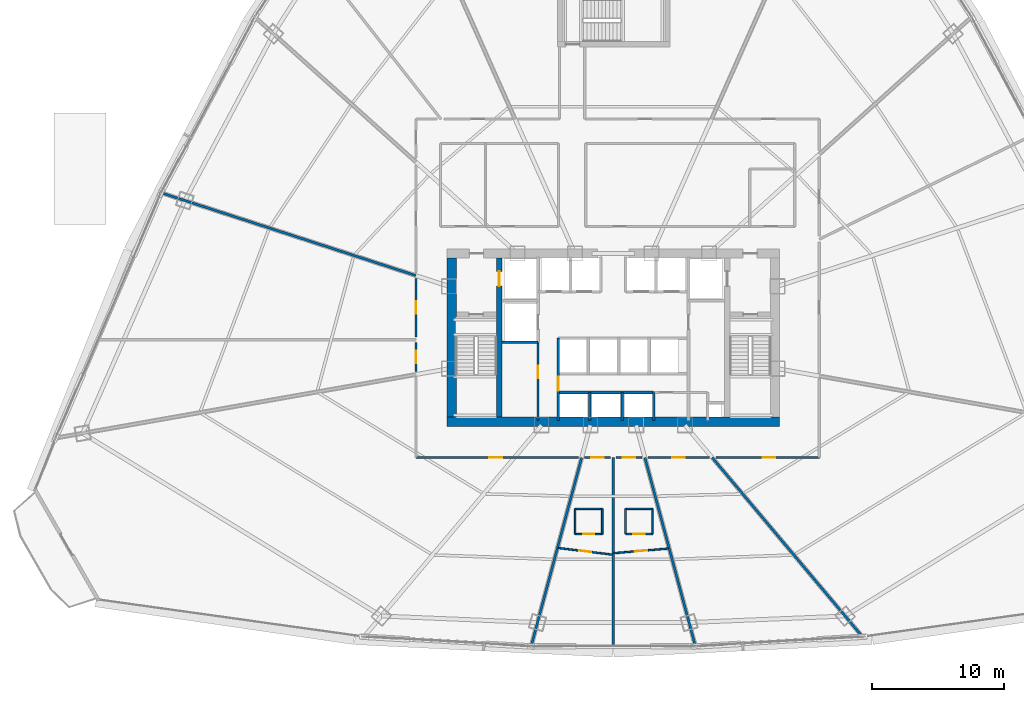
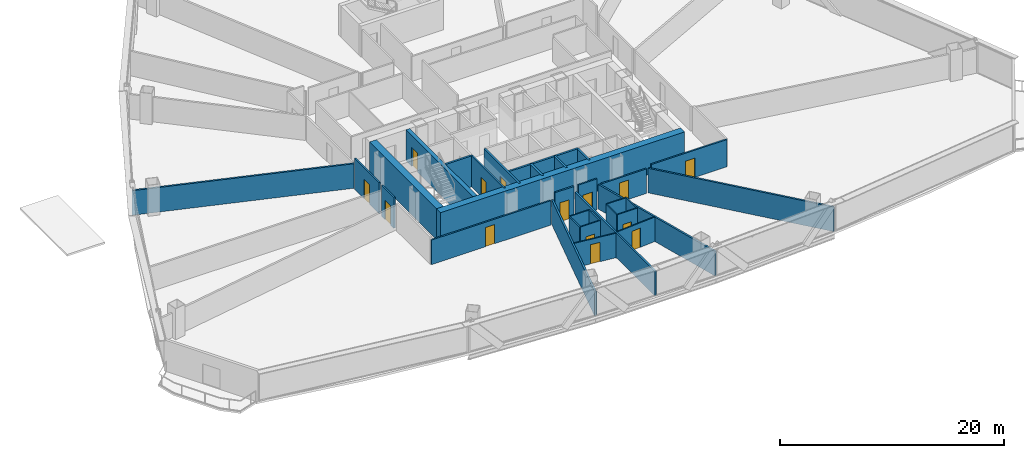
# One storey, part 30 of 38: 32 walls, 14 doors, 14 openings.
"""IFC4 building model written with IfcOpenShell, lengths in metres."""

from ifc_helpers import new_model, si_unit, direction, frame, frame_2d, origin, origin_with_axes, place, context, subcontext, project, spatial, rectangle, extrude, source, transform, mapped, material, layer, layer_set, type_object, element, fill, save


model = new_model("IFC4")

# Units and contexts
model_context = context("Model", 3, precision=1e-05, world=origin(), true_north=direction((0.0, 1.0)))
body_context = subcontext(model_context, "Body", "Model", "MODEL_VIEW")
ifc_project = project(units=[si_unit("LENGTHUNIT", "METRE"), si_unit("AREAUNIT", "SQUARE_METRE"), si_unit("VOLUMEUNIT", "CUBIC_METRE"), si_unit("PLANEANGLEUNIT", "RADIAN"), si_unit("MASSUNIT", "GRAM", prefix="KILO"), si_unit("THERMODYNAMICTEMPERATUREUNIT", "KELVIN"), si_unit("POWERUNIT", "WATT")], contexts=[model_context])

# Site, building, storey
site_placement = place(None, origin())
site = spatial("IfcSite", under=ifc_project, at=site_placement, CompositionType="ELEMENT")
building_placement = place(site_placement, origin())
building = spatial("IfcBuilding", under=site, at=building_placement, Name="Yunzhuo Pagoda Commons", CompositionType="ELEMENT")
storey_placement = place(building_placement, frame((0.0, 0.0, 30.39990234375)))
storey = spatial("IfcBuildingStorey", under=building, at=storey_placement, Name="L07", CompositionType="ELEMENT", Elevation=30.39990234375)

# Walls
ifc_material_1 = material(Name="Concrete C60", Category="concrete")
ifc_layer_1 = layer(ifc_material_1, 0.699951171875)
ifc_layer_set_1 = layer_set([ifc_layer_1], Name="Concrete C60")
wall_type_1 = type_object("IfcWallType", Name="W-C01 Lower Core Shear Wall 700", PredefinedType="SHEAR", material=ifc_layer_set_1)
wall_1_placement = place(storey_placement, frame((35.449951171875, 27.5, 0.0), z_axis=(0.0, 0.0, 1.0), x_axis=(1.0, 0.0, 0.0)))
element("IfcWall", 1, at=wall_1_placement, inside=storey, type_object=wall_type_1, Name="L07 core shear wall S", PredefinedType="SHEAR", context=body_context, shape_type="SweptSolid", body=[
    extrude(rectangle(XDim=25.10009765625, YDim=0.699951171875, at=frame_2d((12.550048828125, 0.0))), origin(), (0.0, 0.0, 1.0), 3.3701171875),
])
wall_2_placement = place(storey_placement, frame((35.800048828125, 27.85009765625, 0.0), z_axis=(0.0, 0.0, 1.0), x_axis=(0.0, 1.0, 0.0)))
element("IfcWall", 2, at=wall_2_placement, inside=storey, type_object=wall_type_1, Name="L07 core shear wall W", PredefinedType="SHEAR", context=body_context, shape_type="SweptSolid", body=[
    extrude(rectangle(XDim=12.0, YDim=0.699951171875, at=frame_2d((6.0, 0.0))), origin(), (0.0, 0.0, 1.0), 3.3701171875),
])

# Wall, opening, door
ifc_material_2 = material(Name="Gypsum plasterboard on acoustic stud")
ifc_layer_2 = layer(ifc_material_2, 0.159912109375)
ifc_layer_set_2 = layer_set([ifc_layer_2], Name="Gypsum plasterboard on acoustic stud")
wall_type_2 = type_object("IfcWallType", Name="W-COR1 Tower Rated Corridor Wall 160", PredefinedType="PARTITIONING", material=ifc_layer_set_2)
wall_3_placement = place(storey_placement, frame((42.320068359375, 27.60009765625, 0.0), z_axis=(0.0, 0.0, 1.0), x_axis=(0.0, 1.0, 0.0)))
wall_3 = element("IfcWall", 3, at=wall_3_placement, inside=storey, type_object=wall_type_2, Name="L07 interior wall IW-L07-CSWE", PredefinedType="PARTITIONING", context=body_context, shape_type="SweptSolid", body=[
    extrude(rectangle(XDim=5.89990234375, YDim=0.159912109375, at=frame_2d((2.949951171875, 0.0))), origin(), (0.0, 0.0, 1.0), 3.3701171875),
])
opening_1_placement = place(wall_3_placement, frame((3.199951171875, 0.0, 0.0)))
opening_1 = element("IfcOpeningElement", 4, at=opening_1_placement, cuts=wall_3, Name="Opening D-11", PredefinedType="OPENING", context=body_context, shape_type="SweptSolid", body=[
    extrude(rectangle(XDim=0.93994140625, YDim=2.10009765625, at=frame_2d((0.469970703125, 1.050048828125))), frame((0.0, 0.08984375, 0.0), z_axis=(0.0, -1.0, 0.0), x_axis=(1.0, 0.0, 0.0)), (0.0, 0.0, 1.0), 0.179931640625),
])
ifc_material_3 = material(Name="Galvanized fire-resisting metal leaf")
door_type_1 = type_object("IfcDoorType", Name="D-11 Accessible Washroom Fire Door 940x2100", OperationType="NOTDEFINED", PredefinedType="DOOR", material=ifc_material_3)
shared_shape_1 = source(origin(), body_context, "Body", "SweptSolid", [
    extrude(rectangle(XDim=0.93994140625, YDim=2.10009765625, at=frame_2d((0.469970703125, 1.050048828125))), frame((0.0, 0.02490234375, 0.0), z_axis=(0.0, -1.0, 0.0), x_axis=(1.0, 0.0, 0.0)), (0.0, 0.0, 1.0), 0.050048828125),
])
door_1_placement = place(opening_1_placement, origin_with_axes())
door_1 = element("IfcDoor", 5, at=door_1_placement, inside=storey, type_object=door_type_1, Name="L07 core WC door", OperationType="SINGLE_SWING_LEFT", OverallHeight=2.10009765625, OverallWidth=0.93994140625, PredefinedType="DOOR", context=body_context, shape_type="MappedRepresentation", body=[
    mapped(shared_shape_1, transform((0.0, 0.0, 0.0), scale=1.0)),
])
fill(opening_1, door_1)

wall_4_placement = place(storey_placement, frame((33.10009765625, 31.29248046875, 0.0), z_axis=(0.0, 0.0, 1.0), x_axis=(0.0, 1.0, 0.0)))
wall_4 = element("IfcWall", 6, at=wall_4_placement, inside=storey, type_object=wall_type_2, Name="L07 interior wall IW-L07-CWL02", PredefinedType="PARTITIONING", context=body_context, shape_type="SweptSolid", body=[
    extrude(rectangle(XDim=2.1875, YDim=0.159912109375, at=frame_2d((1.09375, 0.0))), origin(), (0.0, 0.0, 1.0), 3.3701171875),
])
opening_2_placement = place(wall_4_placement, frame((0.618896484375, 0.0, 0.0)))
opening_2 = element("IfcOpeningElement", 7, at=opening_2_placement, cuts=wall_4, Name="Opening D-06", PredefinedType="OPENING", context=body_context, shape_type="SweptSolid", body=[
    extrude(rectangle(XDim=0.949951171875, YDim=2.10009765625, at=frame_2d((0.47509765625, 1.050048828125))), frame((0.0, 0.08984375, 0.0), z_axis=(0.0, -1.0, 0.0), x_axis=(1.0, 0.0, 0.0)), (0.0, 0.0, 1.0), 0.179931640625),
])
door_type_2 = type_object("IfcDoorType", Name="D-06 Co-Living Suite Entrance Fire Door 950x2100", OperationType="NOTDEFINED", PredefinedType="DOOR", material=ifc_material_3)
shared_shape_2 = source(origin(), body_context, "Body", "SweptSolid", [
    extrude(rectangle(XDim=0.949951171875, YDim=2.10009765625, at=frame_2d((0.47509765625, 1.050048828125))), frame((0.0, 0.02490234375, 0.0), z_axis=(0.0, -1.0, 0.0), x_axis=(1.0, 0.0, 0.0)), (0.0, 0.0, 1.0), 0.050048828125),
])
door_2_placement = place(opening_2_placement, origin_with_axes())
door_2 = element("IfcDoor", 8, at=door_2_placement, inside=storey, type_object=door_type_2, Name="L07 unit 09 entrance door", OperationType="SINGLE_SWING_LEFT", OverallHeight=2.10009765625, OverallWidth=0.949951171875, PredefinedType="DOOR", context=body_context, shape_type="MappedRepresentation", body=[
    mapped(shared_shape_2, transform((0.0, 0.0, 0.0), scale=1.0)),
])
fill(opening_2, door_2)

wall_5_placement = place(storey_placement, frame((33.10009765625, 33.919921875, 0.0), z_axis=(0.0, 0.0, 1.0), x_axis=(0.0, 1.0, 0.0)))
wall_5 = element("IfcWall", 9, at=wall_5_placement, inside=storey, type_object=wall_type_2, Name="L07 interior wall IW-L07-CWL03", PredefinedType="PARTITIONING", context=body_context, shape_type="SweptSolid", body=[
    extrude(rectangle(XDim=4.401611328125, YDim=0.159912109375, at=frame_2d((2.20068359375, 0.0))), origin(), (0.0, 0.0, 1.0), 3.3701171875),
])
opening_3_placement = place(wall_5_placement, frame((1.7255859375, 0.0, 0.0)))
opening_3 = element("IfcOpeningElement", 10, at=opening_3_placement, cuts=wall_5, Name="Opening D-06", PredefinedType="OPENING", context=body_context, shape_type="SweptSolid", body=[
    extrude(rectangle(XDim=0.949951171875, YDim=2.10009765625, at=frame_2d((0.47509765625, 1.050048828125))), frame((0.0, 0.08984375, 0.0), z_axis=(0.0, -1.0, 0.0), x_axis=(1.0, 0.0, 0.0)), (0.0, 0.0, 1.0), 0.179931640625),
])
door_3_placement = place(opening_3_placement, origin_with_axes())
door_3 = element("IfcDoor", 11, at=door_3_placement, inside=storey, type_object=door_type_2, Name="L07 unit 08 entrance door", OperationType="SINGLE_SWING_RIGHT", OverallHeight=2.10009765625, OverallWidth=0.949951171875, PredefinedType="DOOR", context=body_context, shape_type="MappedRepresentation", body=[
    mapped(shared_shape_2, transform((0.0, 0.0, 0.0), scale=1.0)),
])
fill(opening_3, door_3)

wall_6_placement = place(storey_placement, frame((63.550048828125, 24.800048828125, 0.0), z_axis=(0.0, 0.0, 1.0), x_axis=(-1.0, 0.0, 0.0)))
wall_6 = element("IfcWall", 12, at=wall_6_placement, inside=storey, type_object=wall_type_2, Name="L07 interior wall IW-L07-CWL17", PredefinedType="PARTITIONING", context=body_context, shape_type="SweptSolid", body=[
    extrude(rectangle(XDim=7.794921875, YDim=0.159912109375, at=frame_2d((3.8974609375, 0.0))), origin(), (0.0, 0.0, 1.0), 2.97021484375),
])
opening_4_placement = place(wall_6_placement, frame((3.3359375, 0.0, 0.0)))
opening_4 = element("IfcOpeningElement", 13, at=opening_4_placement, cuts=wall_6, Name="Opening D-06", PredefinedType="OPENING", context=body_context, shape_type="SweptSolid", body=[
    extrude(rectangle(XDim=0.949951171875, YDim=2.10009765625, at=frame_2d((0.47509765625, 1.050048828125))), frame((0.0, 0.08984375, 0.0), z_axis=(0.0, -1.0, 0.0), x_axis=(1.0, 0.0, 0.0)), (0.0, 0.0, 1.0), 0.179931640625),
])
door_4_placement = place(opening_4_placement, origin_with_axes())
door_4 = element("IfcDoor", 14, at=door_4_placement, inside=storey, type_object=door_type_2, Name="L07 unit 14 entrance door", OperationType="SINGLE_SWING_RIGHT", OverallHeight=2.10009765625, OverallWidth=0.949951171875, PredefinedType="DOOR", context=body_context, shape_type="MappedRepresentation", body=[
    mapped(shared_shape_2, transform((0.0, 0.0, 0.0), scale=1.0)),
])
fill(opening_4, door_4)

wall_7_placement = place(storey_placement, frame((55.248046875, 24.800048828125, 0.0), z_axis=(0.0, 0.0, 1.0), x_axis=(-1.0, 0.0, 0.0)))
wall_7 = element("IfcWall", 15, at=wall_7_placement, inside=storey, type_object=wall_type_2, Name="L07 interior wall IW-L07-CWL18", PredefinedType="PARTITIONING", context=body_context, shape_type="SweptSolid", body=[
    extrude(rectangle(XDim=4.635498046875, YDim=0.159912109375, at=frame_2d((2.31787109375, 0.0))), origin(), (0.0, 0.0, 1.0), 2.670166015625),
])
opening_5_placement = place(wall_7_placement, frame((1.8466796875, 0.0, 0.0)))
opening_5 = element("IfcOpeningElement", 16, at=opening_5_placement, cuts=wall_7, Name="Opening D-06", PredefinedType="OPENING", context=body_context, shape_type="SweptSolid", body=[
    extrude(rectangle(XDim=0.949951171875, YDim=2.10009765625, at=frame_2d((0.47509765625, 1.050048828125))), frame((0.0, 0.08984375, 0.0), z_axis=(0.0, -1.0, 0.0), x_axis=(1.0, 0.0, 0.0)), (0.0, 0.0, 1.0), 0.179931640625),
])
door_5_placement = place(opening_5_placement, origin_with_axes())
door_5 = element("IfcDoor", 17, at=door_5_placement, inside=storey, type_object=door_type_2, Name="L07 unit 13 entrance door", OperationType="SINGLE_SWING_LEFT", OverallHeight=2.10009765625, OverallWidth=0.949951171875, PredefinedType="DOOR", context=body_context, shape_type="MappedRepresentation", body=[
    mapped(shared_shape_2, transform((0.0, 0.0, 0.0), scale=1.0)),
])
fill(opening_5, door_5)

wall_8_placement = place(storey_placement, frame((50.164794921875, 24.800048828125, 0.0), z_axis=(0.0, 0.0, 1.0), x_axis=(-1.0, 0.0, 0.0)))
wall_8 = element("IfcWall", 18, at=wall_8_placement, inside=storey, type_object=wall_type_2, Name="L07 interior wall IW-L07-CWL19", PredefinedType="PARTITIONING", context=body_context, shape_type="SweptSolid", body=[
    extrude(rectangle(XDim=1.94482421875, YDim=0.159912109375, at=frame_2d((0.972412109375, 0.0))), origin(), (0.0, 0.0, 1.0), 3.3701171875),
])
opening_6_placement = place(wall_8_placement, frame((0.49755859375, 0.0, 0.0)))
opening_6 = element("IfcOpeningElement", 19, at=opening_6_placement, cuts=wall_8, Name="Opening D-06", PredefinedType="OPENING", context=body_context, shape_type="SweptSolid", body=[
    extrude(rectangle(XDim=0.949951171875, YDim=2.10009765625, at=frame_2d((0.47509765625, 1.050048828125))), frame((0.0, 0.08984375, 0.0), z_axis=(0.0, -1.0, 0.0), x_axis=(1.0, 0.0, 0.0)), (0.0, 0.0, 1.0), 0.179931640625),
])
door_6_placement = place(opening_6_placement, origin_with_axes())
door_6 = element("IfcDoor", 20, at=door_6_placement, inside=storey, type_object=door_type_2, Name="L07 unit 12 entrance door", OperationType="SINGLE_SWING_RIGHT", OverallHeight=2.10009765625, OverallWidth=0.949951171875, PredefinedType="DOOR", context=body_context, shape_type="MappedRepresentation", body=[
    mapped(shared_shape_2, transform((0.0, 0.0, 0.0), scale=1.0)),
])
fill(opening_6, door_6)

wall_9_placement = place(storey_placement, frame((47.780029296875, 24.800048828125, 0.0), z_axis=(0.0, 0.0, 1.0), x_axis=(-1.0, 0.0, 0.0)))
wall_9 = element("IfcWall", 21, at=wall_9_placement, inside=storey, type_object=wall_type_2, Name="L07 interior wall IW-L07-CWL20", PredefinedType="PARTITIONING", context=body_context, shape_type="SweptSolid", body=[
    extrude(rectangle(XDim=1.94482421875, YDim=0.159912109375, at=frame_2d((0.972412109375, 0.0))), origin(), (0.0, 0.0, 1.0), 3.3701171875),
])
opening_7_placement = place(wall_9_placement, frame((0.497314453125, 0.0, 0.0)))
opening_7 = element("IfcOpeningElement", 22, at=opening_7_placement, cuts=wall_9, Name="Opening D-06", PredefinedType="OPENING", context=body_context, shape_type="SweptSolid", body=[
    extrude(rectangle(XDim=0.949951171875, YDim=2.10009765625, at=frame_2d((0.47509765625, 1.050048828125))), frame((0.0, 0.08984375, 0.0), z_axis=(0.0, -1.0, 0.0), x_axis=(1.0, 0.0, 0.0)), (0.0, 0.0, 1.0), 0.179931640625),
])
door_7_placement = place(opening_7_placement, origin_with_axes())
door_7 = element("IfcDoor", 23, at=door_7_placement, inside=storey, type_object=door_type_2, Name="L07 unit 11 entrance door", OperationType="SINGLE_SWING_LEFT", OverallHeight=2.10009765625, OverallWidth=0.949951171875, PredefinedType="DOOR", context=body_context, shape_type="MappedRepresentation", body=[
    mapped(shared_shape_2, transform((0.0, 0.0, 0.0), scale=1.0)),
])
fill(opening_7, door_7)

wall_10_placement = place(storey_placement, frame((45.387451171875, 24.800048828125, 0.0), z_axis=(0.0, 0.0, 1.0), x_axis=(-1.0, 0.0, 0.0)))
wall_10 = element("IfcWall", 24, at=wall_10_placement, inside=storey, type_object=wall_type_2, Name="L07 interior wall IW-L07-CWL21", PredefinedType="PARTITIONING", context=body_context, shape_type="SweptSolid", body=[
    extrude(rectangle(XDim=12.287353515625, YDim=0.159912109375, at=frame_2d((6.1435546875, 0.0))), origin(), (0.0, 0.0, 1.0), 2.670166015625),
])
opening_8_placement = place(wall_10_placement, frame((5.784912109375, 0.0, 0.0)))
opening_8 = element("IfcOpeningElement", 25, at=opening_8_placement, cuts=wall_10, Name="Opening D-06", PredefinedType="OPENING", context=body_context, shape_type="SweptSolid", body=[
    extrude(rectangle(XDim=0.949951171875, YDim=2.10009765625, at=frame_2d((0.47509765625, 1.050048828125))), frame((0.0, 0.08984375, 0.0), z_axis=(0.0, -1.0, 0.0), x_axis=(1.0, 0.0, 0.0)), (0.0, 0.0, 1.0), 0.179931640625),
])
door_8_placement = place(opening_8_placement, origin_with_axes())
door_8 = element("IfcDoor", 26, at=door_8_placement, inside=storey, type_object=door_type_2, Name="L07 Resident Co-Living Commons Hall door", OperationType="SINGLE_SWING_RIGHT", OverallHeight=2.10009765625, OverallWidth=0.949951171875, PredefinedType="DOOR", context=body_context, shape_type="MappedRepresentation", body=[
    mapped(shared_shape_2, transform((0.0, 0.0, 0.0), scale=1.0)),
])
fill(opening_8, door_8)

ifc_layer_3 = layer(ifc_material_2, 0.1201171875)
ifc_layer_set_3 = layer_set([ifc_layer_3], Name="Gypsum plasterboard on acoustic stud")
wall_type_3 = type_object("IfcWallType", Name="W-PRT1 Suite & Bathroom Partition 120", PredefinedType="PARTITIONING", material=ifc_layer_set_3)
wall_11_placement = place(storey_placement, frame((45.115966796875, 19.028076171875, 0.0), z_axis=(0.0, 0.0, 1.0), x_axis=(1.0, 0.0, 0.0)))
wall_11 = element("IfcWall", 27, at=wall_11_placement, inside=storey, type_object=wall_type_3, Name="L07 interior wall IW-L07-B11S", PredefinedType="PARTITIONING", context=body_context, shape_type="SweptSolid", body=[
    extrude(rectangle(XDim=2.050048828125, YDim=0.1201171875, at=frame_2d((1.02490234375, 0.0))), origin(), (0.0, 0.0, 1.0), 3.3701171875),
])
opening_9_placement = place(wall_11_placement, frame((0.60009765625, 0.0, 0.0)))
opening_9 = element("IfcOpeningElement", 28, at=opening_9_placement, cuts=wall_11, Name="Opening D-05", PredefinedType="OPENING", context=body_context, shape_type="SweptSolid", body=[
    extrude(rectangle(XDim=0.85009765625, YDim=2.10009765625, at=frame_2d((0.425048828125, 1.050048828125))), frame((0.0, 0.070068359375, 0.0), z_axis=(0.0, -1.0, 0.0), x_axis=(1.0, 0.0, 0.0)), (0.0, 0.0, 1.0), 0.14013671875),
])
ifc_material_4 = material(Name="Powder-coated aluminium and timber acoustic leaf", Category="wood")
door_type_3 = type_object("IfcDoorType", Name="D-05 En-Suite Bathroom Door 850x2100", OperationType="NOTDEFINED", PredefinedType="DOOR", material=ifc_material_4)
shared_shape_3 = source(origin(), body_context, "Body", "SweptSolid", [
    extrude(rectangle(XDim=0.85009765625, YDim=2.10009765625, at=frame_2d((0.425048828125, 1.050048828125))), frame((0.0, 0.02490234375, 0.0), z_axis=(0.0, -1.0, 0.0), x_axis=(1.0, 0.0, 0.0)), (0.0, 0.0, 1.0), 0.050048828125),
])
door_9_placement = place(opening_9_placement, frame((0.85009765625, 0.0, 0.0), z_axis=(0.0, 0.0, 1.0), x_axis=(-1.0, 0.0, 0.0)))
door_9 = element("IfcDoor", 29, at=door_9_placement, inside=storey, type_object=door_type_3, Name="L07 unit 11 bathroom door", OperationType="SINGLE_SWING_LEFT", OverallHeight=2.10009765625, OverallWidth=0.85009765625, PredefinedType="DOOR", context=body_context, shape_type="MappedRepresentation", body=[
    mapped(shared_shape_3, transform((0.0, 0.0, 0.0), scale=1.0)),
])
fill(opening_9, door_9)

# Walls
wall_12_placement = place(storey_placement, frame((47.166015625, 19.028076171875, 0.0), z_axis=(0.0, 0.0, 1.0), x_axis=(0.0, 1.0, 0.0)))
element("IfcWall", 30, at=wall_12_placement, inside=storey, type_object=wall_type_3, Name="L07 interior wall IW-L07-B11E", PredefinedType="PARTITIONING", context=body_context, shape_type="SweptSolid", body=[
    extrude(rectangle(XDim=1.89990234375, YDim=0.1201171875, at=frame_2d((0.949951171875, 0.0))), origin(), (0.0, 0.0, 1.0), 3.3701171875),
])
wall_13_placement = place(storey_placement, frame((47.166015625, 20.927978515625, 0.0), z_axis=(0.0, 0.0, 1.0), x_axis=(-1.0, 0.0, 0.0)))
element("IfcWall", 31, at=wall_13_placement, inside=storey, type_object=wall_type_3, Name="L07 interior wall IW-L07-B11N", PredefinedType="PARTITIONING", context=body_context, shape_type="SweptSolid", body=[
    extrude(rectangle(XDim=2.050048828125, YDim=0.1201171875, at=frame_2d((1.02490234375, 0.0))), origin(), (0.0, 0.0, 1.0), 3.3701171875),
])
wall_14_placement = place(storey_placement, frame((45.115966796875, 20.927978515625, 0.0), z_axis=(0.0, 0.0, 1.0), x_axis=(0.0, -1.0, 0.0)))
element("IfcWall", 32, at=wall_14_placement, inside=storey, type_object=wall_type_3, Name="L07 interior wall IW-L07-B11W", PredefinedType="PARTITIONING", context=body_context, shape_type="SweptSolid", body=[
    extrude(rectangle(XDim=1.89990234375, YDim=0.1201171875, at=frame_2d((0.949951171875, 0.0))), origin(), (0.0, 0.0, 1.0), 3.3701171875),
])

# Wall, opening, door
wall_15_placement = place(storey_placement, frame((43.85009765625, 17.980712890625, 0.0), z_axis=(0.0, 0.0, 1.0), x_axis=(0.992487897066, -0.122342855029, 0.0)))
wall_15 = element("IfcWall", 33, at=wall_15_placement, inside=storey, type_object=wall_type_3, Name="L07 interior wall IW-L07-CLB11", PredefinedType="PARTITIONING", context=body_context, shape_type="SweptSolid", body=[
    extrude(rectangle(XDim=4.120849609375, YDim=0.1201171875, at=frame_2d((2.060546875, 0.0))), origin(), (0.0, 0.0, 1.0), 2.670166015625),
])
opening_10_placement = place(wall_15_placement, frame((1.600341796875, 0.0, 0.0)))
opening_10 = element("IfcOpeningElement", 34, at=opening_10_placement, cuts=wall_15, Name="Opening D-04", PredefinedType="OPENING", context=body_context, shape_type="SweptSolid", body=[
    extrude(rectangle(XDim=0.919921875, YDim=2.10009765625, at=frame_2d((0.4599609375, 1.050048828125))), frame((0.0, 0.070068359375, 0.0), z_axis=(0.0, -1.0, 0.0), x_axis=(1.0, 0.0, 0.0)), (0.0, 0.0, 1.0), 0.14013671875),
])
door_type_4 = type_object("IfcDoorType", Name="D-04 Bedroom & Study Interior Door 920x2100", OperationType="NOTDEFINED", PredefinedType="DOOR", material=ifc_material_4)
shared_shape_4 = source(origin(), body_context, "Body", "SweptSolid", [
    extrude(rectangle(XDim=0.919921875, YDim=2.10009765625, at=frame_2d((0.4599609375, 1.050048828125))), frame((0.0, 0.02490234375, 0.0), z_axis=(0.0, -1.0, 0.0), x_axis=(1.0, 0.0, 0.0)), (0.0, 0.0, 1.0), 0.050048828125),
])
door_10_placement = place(opening_10_placement, origin_with_axes())
door_10 = element("IfcDoor", 35, at=door_10_placement, inside=storey, type_object=door_type_4, Name="L07 suite 11 bedroom door", OperationType="SINGLE_SWING_LEFT", OverallHeight=2.10009765625, OverallWidth=0.919921875, PredefinedType="DOOR", context=body_context, shape_type="MappedRepresentation", body=[
    mapped(shared_shape_4, transform((0.0, 0.0, 0.0), scale=1.0)),
])
fill(opening_10, door_10)

wall_16_placement = place(storey_placement, frame((48.924072265625, 19.037109375, 0.0), z_axis=(0.0, 0.0, 1.0), x_axis=(1.0, 0.0, 0.0)))
wall_16 = element("IfcWall", 36, at=wall_16_placement, inside=storey, type_object=wall_type_3, Name="L07 interior wall IW-L07-B12S", PredefinedType="PARTITIONING", context=body_context, shape_type="SweptSolid", body=[
    extrude(rectangle(XDim=2.050048828125, YDim=0.1201171875, at=frame_2d((1.02490234375, 0.0))), origin(), (0.0, 0.0, 1.0), 3.3701171875),
])
opening_11_placement = place(wall_16_placement, frame((0.60009765625, 0.0, 0.0)))
opening_11 = element("IfcOpeningElement", 37, at=opening_11_placement, cuts=wall_16, Name="Opening D-05", PredefinedType="OPENING", context=body_context, shape_type="SweptSolid", body=[
    extrude(rectangle(XDim=0.85009765625, YDim=2.10009765625, at=frame_2d((0.425048828125, 1.050048828125))), frame((0.0, 0.070068359375, 0.0), z_axis=(0.0, -1.0, 0.0), x_axis=(1.0, 0.0, 0.0)), (0.0, 0.0, 1.0), 0.14013671875),
])
door_11_placement = place(opening_11_placement, frame((0.85009765625, 0.0, 0.0), z_axis=(0.0, 0.0, 1.0), x_axis=(-1.0, 0.0, 0.0)))
door_11 = element("IfcDoor", 38, at=door_11_placement, inside=storey, type_object=door_type_3, Name="L07 unit 12 bathroom door", OperationType="SINGLE_SWING_RIGHT", OverallHeight=2.10009765625, OverallWidth=0.85009765625, PredefinedType="DOOR", context=body_context, shape_type="MappedRepresentation", body=[
    mapped(shared_shape_3, transform((0.0, 0.0, 0.0), scale=1.0)),
])
fill(opening_11, door_11)

# Walls
wall_17_placement = place(storey_placement, frame((50.97412109375, 19.037109375, 0.0), z_axis=(0.0, 0.0, 1.0), x_axis=(0.0, 1.0, 0.0)))
element("IfcWall", 39, at=wall_17_placement, inside=storey, type_object=wall_type_3, Name="L07 interior wall IW-L07-B12E", PredefinedType="PARTITIONING", context=body_context, shape_type="SweptSolid", body=[
    extrude(rectangle(XDim=1.89990234375, YDim=0.1201171875, at=frame_2d((0.949951171875, 0.0))), origin(), (0.0, 0.0, 1.0), 3.3701171875),
])
wall_18_placement = place(storey_placement, frame((50.97412109375, 20.93701171875, 0.0), z_axis=(0.0, 0.0, 1.0), x_axis=(-1.0, 0.0, 0.0)))
element("IfcWall", 40, at=wall_18_placement, inside=storey, type_object=wall_type_3, Name="L07 interior wall IW-L07-B12N", PredefinedType="PARTITIONING", context=body_context, shape_type="SweptSolid", body=[
    extrude(rectangle(XDim=2.050048828125, YDim=0.1201171875, at=frame_2d((1.02490234375, 0.0))), origin(), (0.0, 0.0, 1.0), 3.3701171875),
])
wall_19_placement = place(storey_placement, frame((48.924072265625, 20.93701171875, 0.0), z_axis=(0.0, 0.0, 1.0), x_axis=(0.0, -1.0, 0.0)))
element("IfcWall", 41, at=wall_19_placement, inside=storey, type_object=wall_type_3, Name="L07 interior wall IW-L07-B12W", PredefinedType="PARTITIONING", context=body_context, shape_type="SweptSolid", body=[
    extrude(rectangle(XDim=1.89990234375, YDim=0.1201171875, at=frame_2d((0.949951171875, 0.0))), origin(), (0.0, 0.0, 1.0), 3.3701171875),
])

# Wall, opening, door
wall_20_placement = place(storey_placement, frame((48.06005859375, 17.591796875, 0.0), z_axis=(0.0, 0.0, 1.0), x_axis=(0.996481649932, 0.083811224485, 0.0)))
wall_20 = element("IfcWall", 42, at=wall_20_placement, inside=storey, type_object=wall_type_3, Name="L07 interior wall IW-L07-CLB12", PredefinedType="PARTITIONING", context=body_context, shape_type="SweptSolid", body=[
    extrude(rectangle(XDim=4.115966796875, YDim=0.1201171875, at=frame_2d((2.05810546875, 0.0))), origin(), (0.0, 0.0, 1.0), 2.670166015625),
])
opening_12_placement = place(wall_20_placement, frame((1.59814453125, 0.0, 0.0)))
opening_12 = element("IfcOpeningElement", 43, at=opening_12_placement, cuts=wall_20, Name="Opening D-04", PredefinedType="OPENING", context=body_context, shape_type="SweptSolid", body=[
    extrude(rectangle(XDim=0.919921875, YDim=2.10009765625, at=frame_2d((0.4599609375, 1.050048828125))), frame((0.0, 0.070068359375, 0.0), z_axis=(0.0, -1.0, 0.0), x_axis=(1.0, 0.0, 0.0)), (0.0, 0.0, 1.0), 0.14013671875),
])
door_12_placement = place(opening_12_placement, origin_with_axes())
door_12 = element("IfcDoor", 44, at=door_12_placement, inside=storey, type_object=door_type_4, Name="L07 suite 12 bedroom door", OperationType="SINGLE_SWING_RIGHT", OverallHeight=2.10009765625, OverallWidth=0.919921875, PredefinedType="DOOR", context=body_context, shape_type="MappedRepresentation", body=[
    mapped(shared_shape_4, transform((0.0, 0.0, 0.0), scale=1.0)),
])
fill(opening_12, door_12)

# Walls
ifc_layer_4 = layer(ifc_material_2, 0.179931640625)
ifc_layer_set_4 = layer_set([ifc_layer_4], Name="Gypsum plasterboard on acoustic stud")
wall_type_4 = type_object("IfcWallType", Name="W-PRT2 Acoustic Unit Demising Wall 180", PredefinedType="PARTITIONING", material=ifc_layer_set_4)
wall_21_placement = place(storey_placement, frame((33.10009765625, 38.541259765625, 0.0), z_axis=(0.0, 0.0, 1.0), x_axis=(-0.951056237035, 0.309017853848, 0.0)))
element("IfcWall", 45, at=wall_21_placement, inside=storey, type_object=wall_type_4, Name="L07 interior wall IW-L07-RAD07", PredefinedType="PARTITIONING", context=body_context, shape_type="SweptSolid", body=[
    extrude(rectangle(XDim=20.23095703125, YDim=0.179931640625, at=frame_2d((10.115478515625, 0.0))), origin(), (0.0, 0.0, 1.0), 2.670166015625),
])
wall_22_placement = place(storey_placement, frame((45.615234375, 24.800048828125, 0.0), z_axis=(0.0, 0.0, 1.0), x_axis=(-0.258822100979, -0.965925007464, 0.0)))
element("IfcWall", 46, at=wall_22_placement, inside=storey, type_object=wall_type_4, Name="L07 interior wall IW-L07-RAD10", PredefinedType="PARTITIONING", context=body_context, shape_type="SweptSolid", body=[
    extrude(rectangle(XDim=14.754638671875, YDim=0.179931640625, at=frame_2d((7.37744140625, 0.0))), origin(), (0.0, 0.0, 1.0), 2.670166015625),
])
wall_23_placement = place(storey_placement, frame((48.0, 24.800048828125, 0.0), z_axis=(0.0, 0.0, 1.0), x_axis=(0.0, -1.0, 0.0)))
element("IfcWall", 47, at=wall_23_placement, inside=storey, type_object=wall_type_4, Name="L07 interior wall IW-L07-RAD11", PredefinedType="PARTITIONING", context=body_context, shape_type="SweptSolid", body=[
    extrude(rectangle(XDim=14.251953125, YDim=0.179931640625, at=frame_2d((7.1259765625, 0.0))), origin(), (0.0, 0.0, 1.0), 2.670166015625),
])
wall_24_placement = place(storey_placement, frame((50.384765625, 24.800048828125, 0.0), z_axis=(0.0, 0.0, 1.0), x_axis=(0.258822100979, -0.965925007464, 0.0)))
element("IfcWall", 48, at=wall_24_placement, inside=storey, type_object=wall_type_4, Name="L07 interior wall IW-L07-RAD12", PredefinedType="PARTITIONING", context=body_context, shape_type="SweptSolid", body=[
    extrude(rectangle(XDim=14.754638671875, YDim=0.179931640625, at=frame_2d((7.37744140625, 0.0))), origin(), (0.0, 0.0, 1.0), 2.670166015625),
])
wall_25_placement = place(storey_placement, frame((55.468017578125, 24.800048828125, 0.0), z_axis=(0.0, 0.0, 1.0), x_axis=(0.642784869497, -0.766046742403, 0.0)))
element("IfcWall", 49, at=wall_25_placement, inside=storey, type_object=wall_type_4, Name="L07 interior wall IW-L07-RAD13", PredefinedType="PARTITIONING", context=body_context, shape_type="SweptSolid", body=[
    extrude(rectangle(XDim=17.649658203125, YDim=0.179931640625, at=frame_2d((8.82470703125, 0.0))), origin(), (0.0, 0.0, 1.0), 2.670166015625),
])

# Wall, opening, door
ifc_layer_5 = layer(ifc_material_1, 0.39990234375)
ifc_layer_set_5 = layer_set([ifc_layer_5], Name="Concrete C60")
wall_type_5 = type_object("IfcWallType", Name="W-S01 Internal Core Shear Web 400", PredefinedType="SHEAR", material=ifc_layer_set_5)
wall_26_placement = place(storey_placement, frame((39.39990234375, 27.85009765625, 0.0), z_axis=(0.0, 0.0, 1.0), x_axis=(0.0, 1.0, 0.0)))
wall_26 = element("IfcWall", 50, at=wall_26_placement, inside=storey, type_object=wall_type_5, Name="L07 core shear wall WEBW", PredefinedType="SHEAR", context=body_context, shape_type="SweptSolid", body=[
    extrude(rectangle(XDim=12.0, YDim=0.39990234375, at=frame_2d((6.0, 0.0))), origin(), (0.0, 0.0, 1.0), 3.3701171875),
])
opening_13_placement = place(wall_26_placement, frame((9.89990234375, 0.0, 0.0)))
opening_13 = element("IfcOpeningElement", 51, at=opening_13_placement, cuts=wall_26, Name="Opening LD-01", PredefinedType="OPENING", context=body_context, shape_type="SweptSolid", body=[
    extrude(rectangle(XDim=1.10009765625, YDim=2.10009765625, at=frame_2d((0.550048828125, 1.050048828125))), frame((0.0, 0.2099609375, 0.0), z_axis=(0.0, -1.0, 0.0), x_axis=(1.0, 0.0, 0.0)), (0.0, 0.0, 1.0), 0.419921875),
])
door_type_5 = type_object("IfcDoorType", Name="LD-01 Firefighting Lift Landing Door 1100x2100", OperationType="DOUBLE_DOOR_SLIDING", PredefinedType="DOOR", material=ifc_material_3)
shared_shape_5 = source(origin(), body_context, "Body", "SweptSolid", [
    extrude(rectangle(XDim=1.10009765625, YDim=2.10009765625, at=frame_2d((0.550048828125, 1.050048828125))), frame((0.0, 0.02490234375, 0.0), z_axis=(0.0, -1.0, 0.0), x_axis=(1.0, 0.0, 0.0)), (0.0, 0.0, 1.0), 0.050048828125),
])
door_13_placement = place(opening_13_placement, frame((1.10009765625, 0.0, 0.0), z_axis=(0.0, 0.0, 1.0), x_axis=(-1.0, 0.0, 0.0)))
door_13 = element("IfcDoor", 52, at=door_13_placement, inside=storey, type_object=door_type_5, Name="L07 Firefighting lift FL-1 landing door", OperationType="DOUBLE_DOOR_SLIDING", OverallHeight=2.10009765625, OverallWidth=1.10009765625, PredefinedType="DOOR", context=body_context, shape_type="MappedRepresentation", body=[
    mapped(shared_shape_5, transform((0.0, 0.0, 0.0), scale=1.0)),
])
fill(opening_13, door_13)

# Wall
ifc_material_5 = material(Name="Concrete C40", Category="concrete")
ifc_layer_6 = layer(ifc_material_5, 0.199951171875)
ifc_layer_set_6 = layer_set([ifc_layer_6], Name="Concrete C40")
wall_type_6 = type_object("IfcWallType", Name="W-SHF Shaft & Stair Enclosure Wall 200", PredefinedType="SOLIDWALL", material=ifc_layer_set_6)
wall_27_placement = place(storey_placement, frame((39.60009765625, 33.5, 0.0), z_axis=(0.0, 0.0, 1.0), x_axis=(1.0, 0.0, 0.0)))
element("IfcWall", 53, at=wall_27_placement, inside=storey, type_object=wall_type_6, Name="L07 interior wall IW-L07-SL1S", PredefinedType="SOLIDWALL", context=body_context, shape_type="SweptSolid", body=[
    extrude(rectangle(XDim=2.719970703125, YDim=0.199951171875, at=frame_2d((1.35986328125, 0.0))), origin(), (0.0, 0.0, 1.0), 3.3701171875),
])

# Wall, opening, door
wall_28_placement = place(storey_placement, frame((43.85009765625, 27.60009765625, 0.0), z_axis=(0.0, 0.0, 1.0), x_axis=(0.0, 1.0, 0.0)))
wall_28 = element("IfcWall", 54, at=wall_28_placement, inside=storey, type_object=wall_type_6, Name="L07 interior wall IW-L07-PLMW", PredefinedType="SOLIDWALL", context=body_context, shape_type="SweptSolid", body=[
    extrude(rectangle(XDim=6.219970703125, YDim=0.199951171875, at=frame_2d((3.10986328125, 0.0))), origin(), (0.0, 0.0, 1.0), 3.3701171875),
])
opening_14_placement = place(wall_28_placement, frame((2.25, 0.0, 0.0)))
opening_14 = element("IfcOpeningElement", 55, at=opening_14_placement, cuts=wall_28, Name="Opening D-02", PredefinedType="OPENING", context=body_context, shape_type="SweptSolid", body=[
    extrude(rectangle(XDim=1.050048828125, YDim=2.10009765625, at=frame_2d((0.52490234375, 1.050048828125))), frame((0.0, 0.10986328125, 0.0), z_axis=(0.0, -1.0, 0.0), x_axis=(1.0, 0.0, 0.0)), (0.0, 0.0, 1.0), 0.219970703125),
])
door_type_6 = type_object("IfcDoorType", Name="D-02 Firefighting Lobby & Refuge Fire Door 1050x2100", OperationType="NOTDEFINED", PredefinedType="DOOR", material=ifc_material_3)
shared_shape_6 = source(origin(), body_context, "Body", "SweptSolid", [
    extrude(rectangle(XDim=1.050048828125, YDim=2.10009765625, at=frame_2d((0.52490234375, 1.050048828125))), frame((0.0, 0.02490234375, 0.0), z_axis=(0.0, -1.0, 0.0), x_axis=(1.0, 0.0, 0.0)), (0.0, 0.0, 1.0), 0.050048828125),
])
door_14_placement = place(opening_14_placement, frame((1.050048828125, 0.0, 0.0), z_axis=(0.0, 0.0, 1.0), x_axis=(-1.0, 0.0, 0.0)))
door_14 = element("IfcDoor", 56, at=door_14_placement, inside=storey, type_object=door_type_6, Name="L07 High-bank hall west door", OperationType="SINGLE_SWING_LEFT", OverallHeight=2.10009765625, OverallWidth=1.050048828125, PredefinedType="DOOR", context=body_context, shape_type="MappedRepresentation", body=[
    mapped(shared_shape_6, transform((0.0, 0.0, 0.0), scale=1.0)),
])
fill(opening_14, door_14)

# Walls
wall_29_placement = place(storey_placement, frame((43.85009765625, 29.719970703125, 0.0), z_axis=(0.0, 0.0, 1.0), x_axis=(1.0, 0.0, 0.0)))
element("IfcWall", 57, at=wall_29_placement, inside=storey, type_object=wall_type_6, Name="L07 interior wall IW-L07-PLHN", PredefinedType="SOLIDWALL", context=body_context, shape_type="SweptSolid", body=[
    extrude(rectangle(XDim=7.199951171875, YDim=0.199951171875, at=frame_2d((3.60009765625, 0.0))), origin(), (0.0, 0.0, 1.0), 3.3701171875),
])
for number, where, z_axis, x_axis, name in (
    (58, (51.050048828125, 27.60009765625, 0.0), (0.0, 0.0, 1.0), (0.0, 1.0, 0.0), "L07 interior wall IW-L07-PLHE"),
    (59, (46.22509765625, 27.60009765625, 0.0), (0.0, 0.0, 1.0), (0.0, 1.0, 0.0), "L07 interior wall IW-L07-PLHD1"),
    (60, (48.675048828125, 27.60009765625, 0.0), (0.0, 0.0, 1.0), (0.0, 1.0, 0.0), "L07 interior wall IW-L07-PLHD2"),
):
    element("IfcWall", number, at=place(storey_placement, frame(where, z_axis=z_axis, x_axis=x_axis)), inside=storey, type_object=wall_type_6, Name=name, PredefinedType="SOLIDWALL", context=body_context, shape_type="SweptSolid", body=[
        extrude(rectangle(XDim=2.119873046875, YDim=0.199951171875, at=frame_2d((1.06005859375, 0.0))), origin(), (0.0, 0.0, 1.0), 3.3701171875),
    ])

save(model, "model.ifc")
